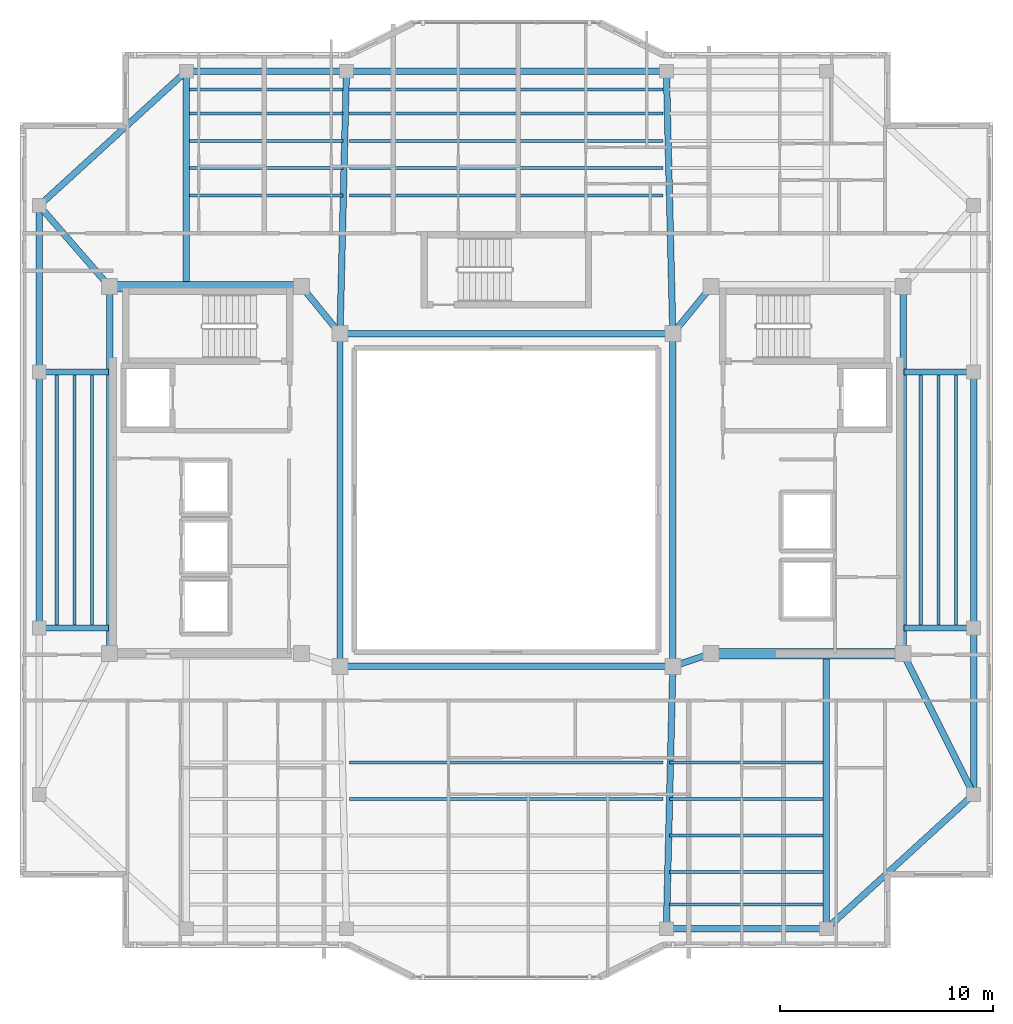
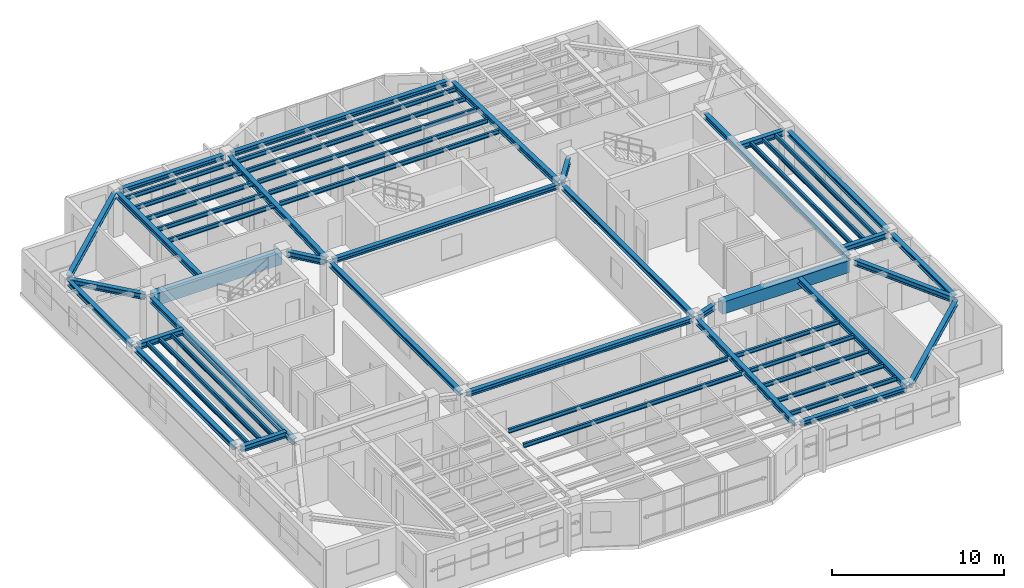
# One storey, part 3 of 14: 54 beams.
"""IFC4 building model written with IfcOpenShell, lengths in metres."""

from ifc_helpers import new_model, si_unit, direction, frame, origin, origin_2d, place, context, subcontext, project, spatial, rectangle, i_section, extrude, material, material_profile, profile_set, type_object, element, save


model = new_model("IFC4")

# Units and contexts
model_context = context("Model", 3, precision=1e-05, world=origin(), true_north=direction((0.0, 1.0)))
body_context = subcontext(model_context, "Body", "Model", "MODEL_VIEW")
ifc_project = project(units=[si_unit("LENGTHUNIT", "METRE"), si_unit("AREAUNIT", "SQUARE_METRE"), si_unit("VOLUMEUNIT", "CUBIC_METRE"), si_unit("PLANEANGLEUNIT", "RADIAN"), si_unit("MASSUNIT", "GRAM", prefix="KILO")], contexts=[model_context])

# Site, building, storey
site_placement = place(None, origin())
site = spatial("IfcSite", under=ifc_project, at=site_placement, CompositionType="ELEMENT")
building_placement = place(site_placement, origin())
building = spatial("IfcBuilding", under=site, at=building_placement, Name="Tarnavaz Court Tower", CompositionType="ELEMENT")
storey_placement = place(building_placement, frame((0.0, 0.0, 264.949951171875)))
storey = spatial("IfcBuildingStorey", under=building, at=storey_placement, Name="L72", CompositionType="ELEMENT", Elevation=264.949951171875)

# Beams
ifc_material_1 = material(Name="Concrete C50/60", Category="concrete")
ifc_material_profile_1 = material_profile(ifc_material_1, rectangle(XDim=0.5, YDim=0.85009765625, at=origin_2d()), Name="RC 500X850")
ifc_profile_set_1 = profile_set([ifc_material_profile_1], Name="Concrete C50/60")
beam_type_1 = type_object("IfcBeamType", Name="BM-CB850", PredefinedType="LINTEL", material=ifc_profile_set_1)
for number, where, z_axis, x_axis, name in (
    (1, (-18.3798828125, 10.0, 2.675048828125), (1.0, 0.0, 0.0), (0.0, 1.0, 0.0), "L72 Beam IN-CW-NO-CW-NI"),
    (2, (18.3798828125, -7.199951171875, 2.675048828125), (-1.0, 0.0, 0.0), (0.0, -1.0, 0.0), "L72 Beam IN-CE-SO-CE-SI"),
):
    element("IfcBeam", number, at=place(storey_placement, frame(where, z_axis=z_axis, x_axis=x_axis)), inside=storey, type_object=beam_type_1, Name=name, PredefinedType="LINTEL", context=body_context, shape_type="SweptSolid", body=[
        extrude(rectangle(XDim=0.5, YDim=0.85009765625, at=origin_2d()), origin(), (0.0, 0.0, 1.0), 8.559814453125),
    ])
ifc_material_2 = material(Name="Steel S355", Category="steel")
ifc_material_profile_2 = material_profile(ifc_material_2, i_section(OverallWidth=0.300048828125, OverallDepth=0.39990234375, WebThickness=0.013427734375, FlangeThickness=0.02392578125, FilletRadius=0.027099609375, at=origin_2d()), Name="HEB 400")
ifc_profile_set_2 = profile_set([ifc_material_profile_2], Name="Steel S355")
beam_type_2 = type_object("IfcBeamType", Name="BM-G-HEB400", PredefinedType="USERDEFINED", material=ifc_profile_set_2)
beam_1_placement = place(storey_placement, frame((9.391357421875, -7.26953125, 2.900146484375), z_axis=(-0.948666544706, -0.316278021615, 0.0), x_axis=(0.316278021615, -0.948666544706, 0.0)))
element("IfcBeam", 3, at=beam_1_placement, inside=storey, type_object=beam_type_2, Name="L72 Beam IN-CE-SI-IW-SE", ObjectType="GIRDER", PredefinedType="USERDEFINED", context=body_context, shape_type="SweptSolid", body=[
    extrude(i_section(OverallWidth=0.300048828125, OverallDepth=0.39990234375, WebThickness=0.013427734375, FlangeThickness=0.02392578125, FilletRadius=0.027099609375, at=origin_2d()), origin(), (0.0, 0.0, 1.0), 1.457275390625),
])
for number, where, z_axis, x_axis, name in (
    (4, (-9.460693359375, 9.82958984375, 2.900146484375), (0.633282058357, -0.773921077735, 0.0), (0.773921077735, 0.633282058357, 0.0), "L72 Beam IN-CW-NI-IW-NW"),
    (5, (9.460693359375, 9.82958984375, 2.900146484375), (-0.633282058357, -0.773921077735, 0.0), (0.773921077735, -0.633282058357, 0.0), "L72 Beam IN-CE-NI-IW-NE"),
):
    element("IfcBeam", number, at=place(storey_placement, frame(where, z_axis=z_axis, x_axis=x_axis)), inside=storey, type_object=beam_type_2, Name=name, ObjectType="GIRDER", PredefinedType="USERDEFINED", context=body_context, shape_type="SweptSolid", body=[
        extrude(i_section(OverallWidth=0.300048828125, OverallDepth=0.39990234375, WebThickness=0.013427734375, FlangeThickness=0.02392578125, FilletRadius=0.027099609375, at=origin_2d()), origin(), (0.0, 0.0, 1.0), 2.402587890625),
    ])
for number, where, z_axis, x_axis, name in (
    (6, (-18.60009765625, -6.97998046875, 2.900146484375), (0.0, 1.0, 0.0), (-1.0, 0.0, 0.0), "L72 Beam IN-CW-SO-CW-NO"),
    (7, (18.60009765625, -6.97998046875, 2.900146484375), (0.0, 1.0, 0.0), (-1.0, 0.0, 0.0), "L72 Beam IN-CE-SO-CE-NO"),
):
    element("IfcBeam", number, at=place(storey_placement, frame(where, z_axis=z_axis, x_axis=x_axis)), inside=storey, type_object=beam_type_2, Name=name, ObjectType="GIRDER", PredefinedType="USERDEFINED", context=body_context, shape_type="SweptSolid", body=[
        extrude(i_section(OverallWidth=0.300048828125, OverallDepth=0.39990234375, WebThickness=0.013427734375, FlangeThickness=0.02392578125, FilletRadius=0.027099609375, at=origin_2d()), origin(), (0.0, 0.0, 1.0), 16.760009765625),
    ])
beam_2_placement = place(storey_placement, frame((-15.0, 10.0400390625, 2.900146484375), z_axis=(0.0, 1.0, 0.0), x_axis=(-1.0, 0.0, 0.0)))
element("IfcBeam", 8, at=beam_2_placement, inside=storey, type_object=beam_type_2, Name="L72 Beam RG-01", ObjectType="GIRDER", PredefinedType="USERDEFINED", context=body_context, shape_type="SweptSolid", body=[
    extrude(i_section(OverallWidth=0.300048828125, OverallDepth=0.39990234375, WebThickness=0.013427734375, FlangeThickness=0.02392578125, FilletRadius=0.027099609375, at=origin_2d()), origin(), (0.0, 0.0, 1.0), 9.83984375),
])
for number, where, z_axis, x_axis, name in (
    (9, (-7.794677734375, 8.02001953125, 2.900146484375), (0.024386002211, 0.99970261723, 0.0), (-0.99970261723, 0.024386002211, 0.0), "L72 Beam RG-02"),
    (10, (7.794677734375, 8.02001953125, 2.900146484375), (-0.024386002211, 0.99970261723, 0.0), (-0.99970261723, -0.024386002211, 0.0), "L72 Beam RG-03"),
    (11, (7.794677734375, -8.02001953125, 2.900146484375), (-0.024386002211, -0.99970261723, 0.0), (0.99970261723, -0.024386002211, 0.0), "L72 Beam RG-07"),
):
    element("IfcBeam", number, at=place(storey_placement, frame(where, z_axis=z_axis, x_axis=x_axis)), inside=storey, type_object=beam_type_2, Name=name, ObjectType="GIRDER", PredefinedType="USERDEFINED", context=body_context, shape_type="SweptSolid", body=[
        extrude(i_section(OverallWidth=0.300048828125, OverallDepth=0.39990234375, WebThickness=0.013427734375, FlangeThickness=0.02392578125, FilletRadius=0.027099609375, at=origin_2d()), origin(), (0.0, 0.0, 1.0), 11.863525390625),
    ])
beam_3_placement = place(storey_placement, frame((15.0, -7.239990234375, 2.900146484375), z_axis=(0.0, -1.0, 0.0), x_axis=(1.0, 0.0, 0.0)))
element("IfcBeam", 12, at=beam_3_placement, inside=storey, type_object=beam_type_2, Name="L72 Beam RG-08", ObjectType="GIRDER", PredefinedType="USERDEFINED", context=body_context, shape_type="SweptSolid", body=[
    extrude(i_section(OverallWidth=0.300048828125, OverallDepth=0.39990234375, WebThickness=0.013427734375, FlangeThickness=0.02392578125, FilletRadius=0.027099609375, at=origin_2d()), origin(), (0.0, 0.0, 1.0), 12.639892578125),
])
for number, where, z_axis, x_axis, name in (
    (13, (18.639892578125, -6.0, 2.900146484375), (1.0, 0.0, 0.0), (0.0, 1.0, 0.0), "L72 Beam RG-09"),
    (14, (18.639892578125, 6.0, 2.900146484375), (1.0, 0.0, 0.0), (0.0, 1.0, 0.0), "L72 Beam RG-10"),
):
    element("IfcBeam", number, at=place(storey_placement, frame(where, z_axis=z_axis, x_axis=x_axis)), inside=storey, type_object=beam_type_2, Name=name, ObjectType="GIRDER", PredefinedType="USERDEFINED", context=body_context, shape_type="SweptSolid", body=[
        extrude(i_section(OverallWidth=0.300048828125, OverallDepth=0.39990234375, WebThickness=0.013427734375, FlangeThickness=0.02392578125, FilletRadius=0.027099609375, at=origin_2d()), origin(), (0.0, 0.0, 1.0), 3.0400390625),
    ])
beam_4_placement = place(storey_placement, frame((18.698486328125, -7.396728515625, 2.900146484375), z_axis=(0.447185448279, -0.894441264057, 0.0), x_axis=(0.894441264057, 0.447185448279, 0.0)))
element("IfcBeam", 15, at=beam_4_placement, inside=storey, type_object=beam_type_2, Name="L72 Beam RG-11", ObjectType="GIRDER", PredefinedType="USERDEFINED", context=body_context, shape_type="SweptSolid", body=[
    extrude(i_section(OverallWidth=0.300048828125, OverallDepth=0.39990234375, WebThickness=0.013427734375, FlangeThickness=0.02392578125, FilletRadius=0.027099609375, at=origin_2d()), origin(), (0.0, 0.0, 1.0), 6.93896484375),
])
for number, where, z_axis, x_axis, name in (
    (16, (-18.639892578125, -6.0, 2.900146484375), (-1.0, 0.0, 0.0), (0.0, -1.0, 0.0), "L72 Beam RG-13"),
    (17, (-18.639892578125, 6.0, 2.900146484375), (-1.0, 0.0, 0.0), (0.0, -1.0, 0.0), "L72 Beam RG-14"),
):
    element("IfcBeam", number, at=place(storey_placement, frame(where, z_axis=z_axis, x_axis=x_axis)), inside=storey, type_object=beam_type_2, Name=name, ObjectType="GIRDER", PredefinedType="USERDEFINED", context=body_context, shape_type="SweptSolid", body=[
        extrude(i_section(OverallWidth=0.300048828125, OverallDepth=0.39990234375, WebThickness=0.013427734375, FlangeThickness=0.02392578125, FilletRadius=0.027099609375, at=origin_2d()), origin(), (0.0, 0.0, 1.0), 3.0400390625),
    ])
beam_5_placement = place(storey_placement, frame((-18.744384765625, 10.166015625, 2.900146484375), z_axis=(-0.65565475567, 0.755060819648, 0.0), x_axis=(-0.755060819648, -0.65565475567, 0.0)))
element("IfcBeam", 18, at=beam_5_placement, inside=storey, type_object=beam_type_2, Name="L72 Beam RG-16", ObjectType="GIRDER", PredefinedType="USERDEFINED", context=body_context, shape_type="SweptSolid", body=[
    extrude(i_section(OverallWidth=0.300048828125, OverallDepth=0.39990234375, WebThickness=0.013427734375, FlangeThickness=0.02392578125, FilletRadius=0.027099609375, at=origin_2d()), origin(), (0.0, 0.0, 1.0), 4.5927734375),
])
ifc_material_profile_3 = material_profile(ifc_material_2, i_section(OverallWidth=0.14990234375, OverallDepth=0.300048828125, WebThickness=0.007080078125, FlangeThickness=0.0107421875, FilletRadius=0.014892578125, at=origin_2d()), Name="IPE 300")
ifc_profile_set_3 = profile_set([ifc_material_profile_3], Name="Steel S355")
beam_type_3 = type_object("IfcBeamType", Name="BM-J-IPE300", PredefinedType="JOIST", material=ifc_profile_set_3)
beam_6_placement = place(storey_placement, frame((-14.85009765625, 14.278076171875, 2.949951171875), z_axis=(1.0, 0.0, 0.0), x_axis=(0.0, 1.0, 0.0)))
element("IfcBeam", 19, at=beam_6_placement, inside=storey, type_object=beam_type_3, Name="L72 Beam JN1-1", PredefinedType="JOIST", context=body_context, shape_type="SweptSolid", body=[
    extrude(i_section(OverallWidth=0.14990234375, OverallDepth=0.300048828125, WebThickness=0.007080078125, FlangeThickness=0.0107421875, FilletRadius=0.014892578125, at=origin_2d()), origin(), (0.0, 0.0, 1.0), 7.2001953125),
])
for number, where, z_axis, x_axis, name in (
    (20, (-7.35009765625, 14.278076171875, 2.949951171875), (1.0, 0.0, 0.0), (0.0, 1.0, 0.0), "L72 Beam JN1-2"),
    (21, (-7.35009765625, -12.31005859375, 2.949951171875), (1.0, 0.0, 0.0), (0.0, 1.0, 0.0), "L72 Beam JS1-2"),
):
    element("IfcBeam", number, at=place(storey_placement, frame(where, z_axis=z_axis, x_axis=x_axis)), inside=storey, type_object=beam_type_3, Name=name, PredefinedType="JOIST", context=body_context, shape_type="SweptSolid", body=[
        extrude(i_section(OverallWidth=0.14990234375, OverallDepth=0.300048828125, WebThickness=0.007080078125, FlangeThickness=0.0107421875, FilletRadius=0.014892578125, at=origin_2d()), origin(), (0.0, 0.0, 1.0), 14.7001953125),
    ])
for number, where, z_axis, x_axis, name in (
    (22, (7.64990234375, -12.31005859375, 2.949951171875), (1.0, 0.0, 0.0), (0.0, 1.0, 0.0), "L72 Beam JS1-3"),
    (23, (-14.85009765625, 15.555908203125, 2.949951171875), (1.0, 0.0, 0.0), (0.0, 1.0, 0.0), "L72 Beam JN2-1"),
):
    element("IfcBeam", number, at=place(storey_placement, frame(where, z_axis=z_axis, x_axis=x_axis)), inside=storey, type_object=beam_type_3, Name=name, PredefinedType="JOIST", context=body_context, shape_type="SweptSolid", body=[
        extrude(i_section(OverallWidth=0.14990234375, OverallDepth=0.300048828125, WebThickness=0.007080078125, FlangeThickness=0.0107421875, FilletRadius=0.014892578125, at=origin_2d()), origin(), (0.0, 0.0, 1.0), 7.2001953125),
    ])
for number, where, z_axis, x_axis, name in (
    (24, (-7.35009765625, 15.555908203125, 2.949951171875), (1.0, 0.0, 0.0), (0.0, 1.0, 0.0), "L72 Beam JN2-2"),
    (25, (-7.35009765625, -14.02001953125, 2.949951171875), (1.0, 0.0, 0.0), (0.0, 1.0, 0.0), "L72 Beam JS2-2"),
):
    element("IfcBeam", number, at=place(storey_placement, frame(where, z_axis=z_axis, x_axis=x_axis)), inside=storey, type_object=beam_type_3, Name=name, PredefinedType="JOIST", context=body_context, shape_type="SweptSolid", body=[
        extrude(i_section(OverallWidth=0.14990234375, OverallDepth=0.300048828125, WebThickness=0.007080078125, FlangeThickness=0.0107421875, FilletRadius=0.014892578125, at=origin_2d()), origin(), (0.0, 0.0, 1.0), 14.7001953125),
    ])
for number, where, z_axis, x_axis, name in (
    (26, (7.64990234375, -14.02001953125, 2.949951171875), (1.0, 0.0, 0.0), (0.0, 1.0, 0.0), "L72 Beam JS2-3"),
    (27, (-14.85009765625, 16.833984375, 2.949951171875), (1.0, 0.0, 0.0), (0.0, 1.0, 0.0), "L72 Beam JN3-1"),
):
    element("IfcBeam", number, at=place(storey_placement, frame(where, z_axis=z_axis, x_axis=x_axis)), inside=storey, type_object=beam_type_3, Name=name, PredefinedType="JOIST", context=body_context, shape_type="SweptSolid", body=[
        extrude(i_section(OverallWidth=0.14990234375, OverallDepth=0.300048828125, WebThickness=0.007080078125, FlangeThickness=0.0107421875, FilletRadius=0.014892578125, at=origin_2d()), origin(), (0.0, 0.0, 1.0), 7.2001953125),
    ])
beam_7_placement = place(storey_placement, frame((-7.35009765625, 16.833984375, 2.949951171875), z_axis=(1.0, 0.0, 0.0), x_axis=(0.0, 1.0, 0.0)))
element("IfcBeam", 28, at=beam_7_placement, inside=storey, type_object=beam_type_3, Name="L72 Beam JN3-2", PredefinedType="JOIST", context=body_context, shape_type="SweptSolid", body=[
    extrude(i_section(OverallWidth=0.14990234375, OverallDepth=0.300048828125, WebThickness=0.007080078125, FlangeThickness=0.0107421875, FilletRadius=0.014892578125, at=origin_2d()), origin(), (0.0, 0.0, 1.0), 14.7001953125),
])
for number, where, z_axis, x_axis, name in (
    (29, (7.64990234375, -15.72998046875, 2.949951171875), (1.0, 0.0, 0.0), (0.0, 1.0, 0.0), "L72 Beam JS3-3"),
    (30, (-14.85009765625, 18.112060546875, 2.949951171875), (1.0, 0.0, 0.0), (0.0, 1.0, 0.0), "L72 Beam JN4-1"),
):
    element("IfcBeam", number, at=place(storey_placement, frame(where, z_axis=z_axis, x_axis=x_axis)), inside=storey, type_object=beam_type_3, Name=name, PredefinedType="JOIST", context=body_context, shape_type="SweptSolid", body=[
        extrude(i_section(OverallWidth=0.14990234375, OverallDepth=0.300048828125, WebThickness=0.007080078125, FlangeThickness=0.0107421875, FilletRadius=0.014892578125, at=origin_2d()), origin(), (0.0, 0.0, 1.0), 7.2001953125),
    ])
beam_8_placement = place(storey_placement, frame((-7.35009765625, 18.112060546875, 2.949951171875), z_axis=(1.0, 0.0, 0.0), x_axis=(0.0, 1.0, 0.0)))
element("IfcBeam", 31, at=beam_8_placement, inside=storey, type_object=beam_type_3, Name="L72 Beam JN4-2", PredefinedType="JOIST", context=body_context, shape_type="SweptSolid", body=[
    extrude(i_section(OverallWidth=0.14990234375, OverallDepth=0.300048828125, WebThickness=0.007080078125, FlangeThickness=0.0107421875, FilletRadius=0.014892578125, at=origin_2d()), origin(), (0.0, 0.0, 1.0), 14.7001953125),
])
for number, where, z_axis, x_axis, name in (
    (32, (7.64990234375, -17.43994140625, 2.949951171875), (1.0, 0.0, 0.0), (0.0, 1.0, 0.0), "L72 Beam JS4-3"),
    (33, (-14.85009765625, 19.248046875, 2.949951171875), (1.0, 0.0, 0.0), (0.0, 1.0, 0.0), "L72 Beam JN5-1"),
):
    element("IfcBeam", number, at=place(storey_placement, frame(where, z_axis=z_axis, x_axis=x_axis)), inside=storey, type_object=beam_type_3, Name=name, PredefinedType="JOIST", context=body_context, shape_type="SweptSolid", body=[
        extrude(i_section(OverallWidth=0.14990234375, OverallDepth=0.300048828125, WebThickness=0.007080078125, FlangeThickness=0.0107421875, FilletRadius=0.014892578125, at=origin_2d()), origin(), (0.0, 0.0, 1.0), 7.2001953125),
    ])
beam_9_placement = place(storey_placement, frame((-7.35009765625, 19.248046875, 2.949951171875), z_axis=(1.0, 0.0, 0.0), x_axis=(0.0, 1.0, 0.0)))
element("IfcBeam", 34, at=beam_9_placement, inside=storey, type_object=beam_type_3, Name="L72 Beam JN5-2", PredefinedType="JOIST", context=body_context, shape_type="SweptSolid", body=[
    extrude(i_section(OverallWidth=0.14990234375, OverallDepth=0.300048828125, WebThickness=0.007080078125, FlangeThickness=0.0107421875, FilletRadius=0.014892578125, at=origin_2d()), origin(), (0.0, 0.0, 1.0), 14.7001953125),
])
beam_10_placement = place(storey_placement, frame((7.64990234375, -18.9599609375, 2.949951171875), z_axis=(1.0, 0.0, 0.0), x_axis=(0.0, 1.0, 0.0)))
element("IfcBeam", 35, at=beam_10_placement, inside=storey, type_object=beam_type_3, Name="L72 Beam JS5-3", PredefinedType="JOIST", context=body_context, shape_type="SweptSolid", body=[
    extrude(i_section(OverallWidth=0.14990234375, OverallDepth=0.300048828125, WebThickness=0.007080078125, FlangeThickness=0.0107421875, FilletRadius=0.014892578125, at=origin_2d()), origin(), (0.0, 0.0, 1.0), 7.2001953125),
])
for number, where, z_axis, x_axis, name in (
    (36, (19.425048828125, -5.9599609375, 2.949951171875), (0.0, 1.0, 0.0), (-1.0, 0.0, 0.0), "L72 Beam JE1"),
    (37, (-19.425048828125, -5.9599609375, 2.949951171875), (0.0, 1.0, 0.0), (-1.0, 0.0, 0.0), "L72 Beam JW1"),
    (38, (20.25, -5.9599609375, 2.949951171875), (0.0, 1.0, 0.0), (-1.0, 0.0, 0.0), "L72 Beam JE2"),
    (39, (-20.25, -5.9599609375, 2.949951171875), (0.0, 1.0, 0.0), (-1.0, 0.0, 0.0), "L72 Beam JW2"),
    (40, (21.074951171875, -5.9599609375, 2.949951171875), (0.0, 1.0, 0.0), (-1.0, 0.0, 0.0), "L72 Beam JE3"),
    (41, (-21.074951171875, -5.9599609375, 2.949951171875), (0.0, 1.0, 0.0), (-1.0, 0.0, 0.0), "L72 Beam JW3"),
):
    element("IfcBeam", number, at=place(storey_placement, frame(where, z_axis=z_axis, x_axis=x_axis)), inside=storey, type_object=beam_type_3, Name=name, PredefinedType="JOIST", context=body_context, shape_type="SweptSolid", body=[
        extrude(i_section(OverallWidth=0.14990234375, OverallDepth=0.300048828125, WebThickness=0.007080078125, FlangeThickness=0.0107421875, FilletRadius=0.014892578125, at=origin_2d()), origin(), (0.0, 0.0, 1.0), 11.919921875),
    ])
ifc_material_profile_4 = material_profile(ifc_material_2, i_section(OverallWidth=0.300048828125, OverallDepth=0.330078125, WebThickness=0.009521484375, FlangeThickness=0.0166015625, FilletRadius=0.027099609375, at=origin_2d()), Name="HEA 340")
ifc_profile_set_4 = profile_set([ifc_material_profile_4], Name="Steel S355")
beam_type_4 = type_object("IfcBeamType", Name="BM-SP-HEA340", PredefinedType="BEAM", material=ifc_profile_set_4)
for number, where, z_axis, x_axis, name in (
    (42, (-7.580078125, -7.800048828125, 2.93505859375), (1.0, 0.0, 0.0), (0.0, 1.0, 0.0), "L72 Beam IN-IW-SW-IW-SE"),
    (43, (-7.580078125, 7.800048828125, 2.93505859375), (1.0, 0.0, 0.0), (0.0, 1.0, 0.0), "L72 Beam IN-IW-NW-IW-NE"),
    (44, (-7.800048828125, -7.580078125, 2.93505859375), (0.0, 1.0, 0.0), (-1.0, 0.0, 0.0), "L72 Beam IN-IW-SW-IW-NW"),
    (45, (7.800048828125, -7.580078125, 2.93505859375), (0.0, 1.0, 0.0), (-1.0, 0.0, 0.0), "L72 Beam IN-IW-SE-IW-NE"),
):
    element("IfcBeam", number, at=place(storey_placement, frame(where, z_axis=z_axis, x_axis=x_axis)), inside=storey, type_object=beam_type_4, Name=name, PredefinedType="BEAM", context=body_context, shape_type="SweptSolid", body=[
        extrude(i_section(OverallWidth=0.300048828125, OverallDepth=0.330078125, WebThickness=0.009521484375, FlangeThickness=0.0166015625, FilletRadius=0.027099609375, at=origin_2d()), origin(), (0.0, 0.0, 1.0), 15.16015625),
    ])
beam_11_placement = place(storey_placement, frame((-14.780029296875, 20.10009765625, 2.93505859375), z_axis=(1.0, 0.0, 0.0), x_axis=(0.0, 1.0, 0.0)))
element("IfcBeam", 46, at=beam_11_placement, inside=storey, type_object=beam_type_4, Name="L72 Beam PR-PN-1-PN-2", PredefinedType="BEAM", context=body_context, shape_type="SweptSolid", body=[
    extrude(i_section(OverallWidth=0.300048828125, OverallDepth=0.330078125, WebThickness=0.009521484375, FlangeThickness=0.0166015625, FilletRadius=0.027099609375, at=origin_2d()), origin(), (0.0, 0.0, 1.0), 7.06005859375),
])
beam_12_placement = place(storey_placement, frame((-7.280029296875, 20.10009765625, 2.93505859375), z_axis=(1.0, 0.0, 0.0), x_axis=(0.0, 1.0, 0.0)))
element("IfcBeam", 47, at=beam_12_placement, inside=storey, type_object=beam_type_4, Name="L72 Beam PR-PN-2-PN-3", PredefinedType="BEAM", context=body_context, shape_type="SweptSolid", body=[
    extrude(i_section(OverallWidth=0.300048828125, OverallDepth=0.330078125, WebThickness=0.009521484375, FlangeThickness=0.0166015625, FilletRadius=0.027099609375, at=origin_2d()), origin(), (0.0, 0.0, 1.0), 14.56005859375),
])
beam_13_placement = place(storey_placement, frame((7.719970703125, -20.10009765625, 2.93505859375), z_axis=(1.0, 0.0, 0.0), x_axis=(0.0, 1.0, 0.0)))
element("IfcBeam", 48, at=beam_13_placement, inside=storey, type_object=beam_type_4, Name="L72 Beam PR-PS-3-PS-4", PredefinedType="BEAM", context=body_context, shape_type="SweptSolid", body=[
    extrude(i_section(OverallWidth=0.300048828125, OverallDepth=0.330078125, WebThickness=0.009521484375, FlangeThickness=0.0166015625, FilletRadius=0.027099609375, at=origin_2d()), origin(), (0.0, 0.0, 1.0), 7.06005859375),
])
beam_14_placement = place(storey_placement, frame((21.89990234375, -13.580078125, 2.93505859375), z_axis=(0.0, 1.0, 0.0), x_axis=(-1.0, 0.0, 0.0)))
element("IfcBeam", 49, at=beam_14_placement, inside=storey, type_object=beam_type_4, Name="L72 Beam PR-PE-1-PE-2", PredefinedType="BEAM", context=body_context, shape_type="SweptSolid", body=[
    extrude(i_section(OverallWidth=0.300048828125, OverallDepth=0.330078125, WebThickness=0.009521484375, FlangeThickness=0.0166015625, FilletRadius=0.027099609375, at=origin_2d()), origin(), (0.0, 0.0, 1.0), 7.360107421875),
])
for number, where, z_axis, x_axis, name in (
    (50, (21.89990234375, -5.780029296875, 2.93505859375), (0.0, 1.0, 0.0), (-1.0, 0.0, 0.0), "L72 Beam PR-PE-2-PE-3"),
    (51, (-21.89990234375, -5.780029296875, 2.93505859375), (0.0, 1.0, 0.0), (-1.0, 0.0, 0.0), "L72 Beam PR-PW-2-PW-3"),
):
    element("IfcBeam", number, at=place(storey_placement, frame(where, z_axis=z_axis, x_axis=x_axis)), inside=storey, type_object=beam_type_4, Name=name, PredefinedType="BEAM", context=body_context, shape_type="SweptSolid", body=[
        extrude(i_section(OverallWidth=0.300048828125, OverallDepth=0.330078125, WebThickness=0.009521484375, FlangeThickness=0.0166015625, FilletRadius=0.027099609375, at=origin_2d()), origin(), (0.0, 0.0, 1.0), 11.56005859375),
    ])
beam_15_placement = place(storey_placement, frame((-21.89990234375, 6.219970703125, 2.93505859375), z_axis=(0.0, 1.0, 0.0), x_axis=(-1.0, 0.0, 0.0)))
element("IfcBeam", 52, at=beam_15_placement, inside=storey, type_object=beam_type_4, Name="L72 Beam PR-PW-3-PW-4", PredefinedType="BEAM", context=body_context, shape_type="SweptSolid", body=[
    extrude(i_section(OverallWidth=0.300048828125, OverallDepth=0.330078125, WebThickness=0.009521484375, FlangeThickness=0.0166015625, FilletRadius=0.027099609375, at=origin_2d()), origin(), (0.0, 0.0, 1.0), 7.360107421875),
])
for number, where, z_axis, x_axis, name in (
    (53, (21.737548828125, -13.9482421875, 2.93505859375), (-0.738474214476, -0.674281717499, 0.0), (0.674281717499, -0.738474214476, 0.0), "L72 Beam PR-PE-1-PS-4"),
    (54, (-21.737548828125, 13.9482421875, 2.93505859375), (0.738474214476, 0.674281717499, 0.0), (-0.674281717499, 0.738474214476, 0.0), "L72 Beam PR-PW-4-PN-1"),
):
    element("IfcBeam", number, at=place(storey_placement, frame(where, z_axis=z_axis, x_axis=x_axis)), inside=storey, type_object=beam_type_4, Name=name, PredefinedType="BEAM", context=body_context, shape_type="SweptSolid", body=[
        extrude(i_section(OverallWidth=0.300048828125, OverallDepth=0.330078125, WebThickness=0.009521484375, FlangeThickness=0.0166015625, FilletRadius=0.027099609375, at=origin_2d()), origin(), (0.0, 0.0, 1.0), 8.9033203125),
    ])

save(model, "model.ifc")
